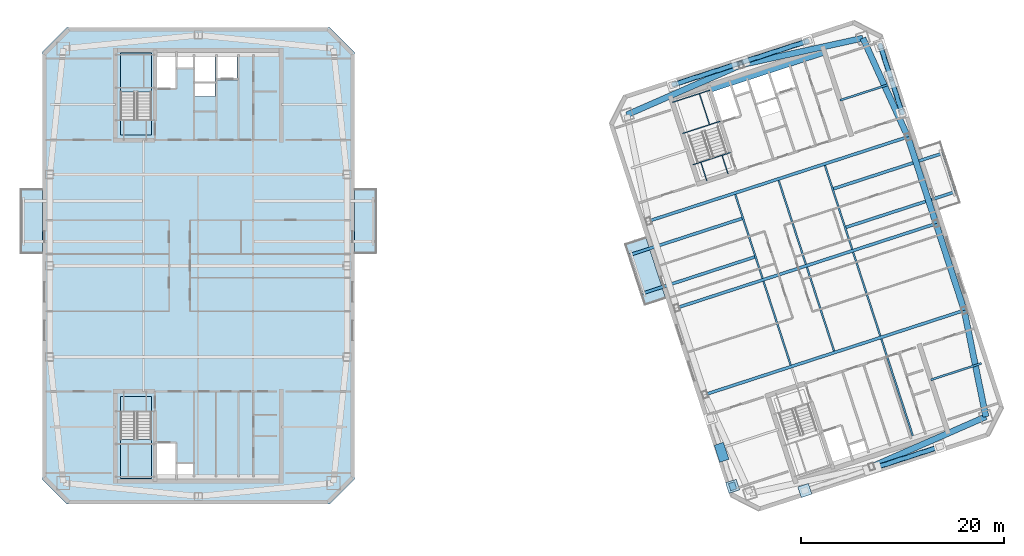
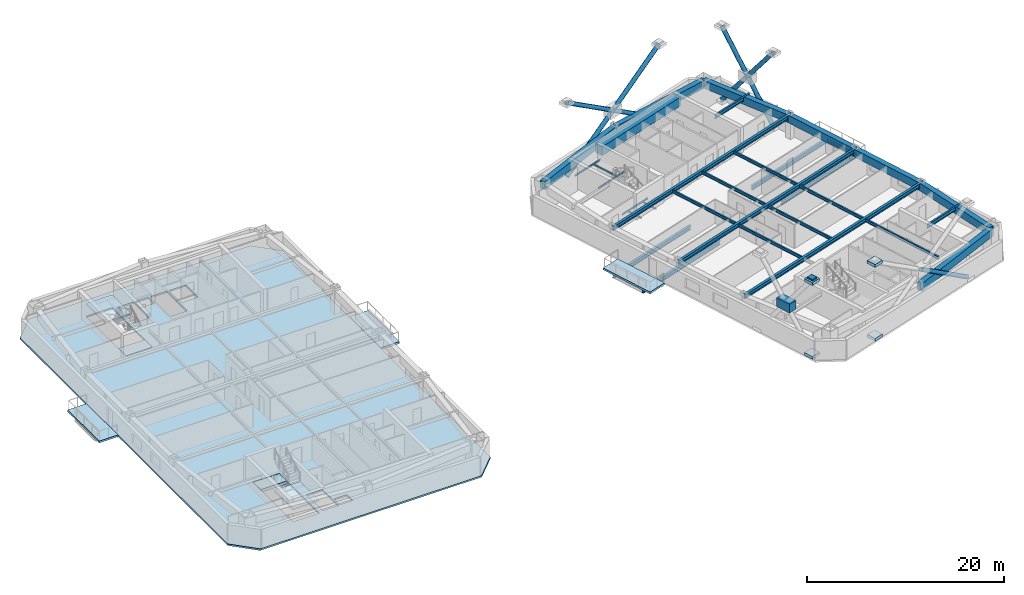
# One storey, part 4 of 16: 31 beams, 9 members, 8 slabs, 6 plates, 2 elements without a shape of their own.
"""IFC4 building model written with IfcOpenShell, lengths in metres."""

from ifc_helpers import new_model, si_unit, direction, frame, origin, origin_2d, place, context, subcontext, project, spatial, polyline, rectangle, hollow_circle, i_section, outline, extrude, material, layer, layer_set, material_profile, profile_set, type_object, element, aggregate, save


model = new_model("IFC4")

# Units and contexts
model_context = context("Model", 3, precision=1e-05, world=origin(), true_north=direction((0.0, 1.0)))
body_context = subcontext(model_context, "Body", "Model", "MODEL_VIEW")
ifc_project = project(units=[si_unit("LENGTHUNIT", "METRE"), si_unit("AREAUNIT", "SQUARE_METRE"), si_unit("VOLUMEUNIT", "CUBIC_METRE"), si_unit("PLANEANGLEUNIT", "RADIAN"), si_unit("MASSUNIT", "GRAM", prefix="KILO")], contexts=[model_context])

# Site, building, storey
site_placement = place(None, origin())
site = spatial("IfcSite", under=ifc_project, at=site_placement, CompositionType="ELEMENT")
building_placement = place(site_placement, origin())
building = spatial("IfcBuilding", under=site, at=building_placement, Name="Qiaolan Cultural Towers", CompositionType="ELEMENT")
storey_placement = place(building_placement, frame((0.0, 0.0, 240.800048828125)))
storey = spatial("IfcBuildingStorey", under=building, at=storey_placement, Name="L65", CompositionType="ELEMENT", Elevation=240.800048828125)

# Beams
ifc_material_1 = material(Name="Steel Q355B", Category="steel")
ifc_material_profile_1 = material_profile(ifc_material_1, i_section(OverallWidth=0.300048828125, OverallDepth=0.488037109375, WebThickness=0.010986328125, FlangeThickness=0.01806640625, at=origin_2d()), Name="HM488x300x11x18")
ifc_profile_set_1 = profile_set([ifc_material_profile_1], Name="Steel Q355B")
beam_type_1 = type_object("IfcBeamType", Name="BM-HM488x300x11x18", PredefinedType="BEAM", material=ifc_profile_set_1)
beam_1_placement = place(storey_placement, frame((84.978515625, 34.891845703125, -0.524169921875), z_axis=(-0.951057886204, -0.309012778197, 0.0), x_axis=(0.309012778197, -0.951057886204, 0.0)))
element("IfcBeam", 1, at=beam_1_placement, inside=storey, type_object=beam_type_1, Name="L65 T2 Tree Balcony Back-Spanned Bracket Beam", PredefinedType="BEAM", context=body_context, shape_type="SweptSolid", body=[
    extrude(i_section(OverallWidth=0.300048828125, OverallDepth=0.488037109375, WebThickness=0.010986328125, FlangeThickness=0.01806640625, at=origin_2d()), origin(), (0.0, 0.0, 1.0), 11.749755859375),
])
beam_2_placement = place(storey_placement, frame((83.742431640625, 38.6962890625, -0.524169921875), z_axis=(-0.951051779584, -0.309031572091, 0.0), x_axis=(0.309031572091, -0.951051779584, 0.0)))
element("IfcBeam", 2, at=beam_2_placement, inside=storey, type_object=beam_type_1, Name="L65 T2 Tree Balcony Back-Spanned Bracket Beam", PredefinedType="BEAM", context=body_context, shape_type="SweptSolid", body=[
    extrude(i_section(OverallWidth=0.300048828125, OverallDepth=0.488037109375, WebThickness=0.010986328125, FlangeThickness=0.01806640625, at=origin_2d()), origin(), (0.0, 0.0, 1.0), 11.75),
])
beam_3_placement = place(storey_placement, frame((93.823486328125, 37.765869140625, -0.524169921875), z_axis=(0.951061016342, 0.309003144311, 0.0), x_axis=(-0.309003144311, 0.951061016342, 0.0)))
element("IfcBeam", 3, at=beam_3_placement, inside=storey, type_object=beam_type_1, Name="L65 T2 Tree Balcony Back-Spanned Bracket Beam", PredefinedType="BEAM", context=body_context, shape_type="SweptSolid", body=[
    extrude(i_section(OverallWidth=0.300048828125, OverallDepth=0.488037109375, WebThickness=0.010986328125, FlangeThickness=0.01806640625, at=origin_2d()), origin(), (0.0, 0.0, 1.0), 11.449951171875),
])
beam_4_placement = place(storey_placement, frame((92.58740234375, 41.570068359375, -0.524169921875), z_axis=(0.951054749965, 0.309022430527, 0.0), x_axis=(-0.309022430527, 0.951054749965, 0.0)))
element("IfcBeam", 4, at=beam_4_placement, inside=storey, type_object=beam_type_1, Name="L65 T2 Tree Balcony Back-Spanned Bracket Beam", PredefinedType="BEAM", context=body_context, shape_type="SweptSolid", body=[
    extrude(i_section(OverallWidth=0.300048828125, OverallDepth=0.488037109375, WebThickness=0.010986328125, FlangeThickness=0.01806640625, at=origin_2d()), origin(), (0.0, 0.0, 1.0), 11.4501953125),
])
beam_5_placement = place(storey_placement, frame((79.989501953125, 21.2841796875, 2.696044921875), z_axis=(0.951056543098, 0.309016911884, 0.0), x_axis=(-0.309016911884, 0.951056543098, 0.0)))
element("IfcBeam", 5, at=beam_5_placement, inside=storey, type_object=beam_type_1, Name="L65 T2 Primary Transverse Girder V1", PredefinedType="BEAM", context=body_context, shape_type="SweptSolid", body=[
    extrude(i_section(OverallWidth=0.300048828125, OverallDepth=0.488037109375, WebThickness=0.010986328125, FlangeThickness=0.01806640625, at=origin_2d()), origin(), (0.0, 0.0, 1.0), 26.89990234375),
])
beam_6_placement = place(storey_placement, frame((77.208251953125, 29.84375, 2.696044921875), z_axis=(0.95105740976, 0.309014244561, 0.0), x_axis=(-0.309014244561, 0.95105740976, 0.0)))
element("IfcBeam", 6, at=beam_6_placement, inside=storey, type_object=beam_type_1, Name="L65 T2 Primary Transverse Girder V2", PredefinedType="BEAM", context=body_context, shape_type="SweptSolid", body=[
    extrude(i_section(OverallWidth=0.300048828125, OverallDepth=0.488037109375, WebThickness=0.010986328125, FlangeThickness=0.01806640625, at=origin_2d()), origin(), (0.0, 0.0, 1.0), 26.900146484375),
])
beam_7_placement = place(storey_placement, frame((74.42724609375, 38.4033203125, 2.696044921875), z_axis=(0.951056543098, 0.309016911884, 0.0), x_axis=(-0.309016911884, 0.951056543098, 0.0)))
element("IfcBeam", 7, at=beam_7_placement, inside=storey, type_object=beam_type_1, Name="L65 T2 Primary Transverse Girder V3", PredefinedType="BEAM", context=body_context, shape_type="SweptSolid", body=[
    extrude(i_section(OverallWidth=0.300048828125, OverallDepth=0.488037109375, WebThickness=0.010986328125, FlangeThickness=0.01806640625, at=origin_2d()), origin(), (0.0, 0.0, 1.0), 26.89990234375),
])
ifc_material_2 = material(Name="Steel Q355B", Category="steel")
ifc_material_profile_2 = material_profile(ifc_material_2, i_section(OverallWidth=0.175048828125, OverallDepth=0.35009765625, WebThickness=0.007080078125, FlangeThickness=0.010986328125, at=origin_2d()), Name="HN350x175x7x11")
ifc_profile_set_2 = profile_set([ifc_material_profile_2], Name="Steel Q355B")
beam_type_2 = type_object("IfcBeamType", Name="BM-JST-HN350x175x7x11", PredefinedType="JOIST", material=ifc_profile_set_2)
beam_8_placement = place(storey_placement, frame((104.713134765625, 41.303955078125, -0.524169921875), z_axis=(-0.3090046493, 0.951060527364, 0.0), x_axis=(-0.951060527364, -0.3090046493, 0.0)))
element("IfcBeam", 8, at=beam_8_placement, inside=storey, type_object=beam_type_2, Name="L65 T2 Tree Balcony Outer Edge Beam", PredefinedType="JOIST", context=body_context, shape_type="SweptSolid", body=[
    extrude(i_section(OverallWidth=0.175048828125, OverallDepth=0.35009765625, WebThickness=0.007080078125, FlangeThickness=0.010986328125, at=origin_2d()), origin(), (0.0, 0.0, 1.0), 4.000244140625),
])
for number, where, z_axis, x_axis, name in (
    (9, (88.455078125, 24.192626953125, 2.764892578125), (-0.309020714809, 0.951055307445, 0.0), (-0.951055307445, -0.309020714809, 0.0), "L65 T2 Secondary Floor Joist U1-2"),
    (10, (85.673828125, 32.752197265625, 2.764892578125), (-0.309020714809, 0.951055307445, 0.0), (-0.951055307445, -0.309020714809, 0.0), "L65 T2 Secondary Floor Joist U1-3"),
    (11, (92.73486328125, 25.583251953125, 2.764892578125), (-0.309020714809, 0.951055307445, 0.0), (-0.951055307445, -0.309020714809, 0.0), "L65 T2 Secondary Floor Joist U2-2"),
    (12, (89.95361328125, 34.142578125, 2.764892578125), (-0.309020714809, 0.951055307445, 0.0), (-0.951055307445, -0.309020714809, 0.0), "L65 T2 Secondary Floor Joist U2-3"),
):
    element("IfcBeam", number, at=place(storey_placement, frame(where, z_axis=z_axis, x_axis=x_axis)), inside=storey, type_object=beam_type_2, Name=name, PredefinedType="JOIST", context=body_context, shape_type="SweptSolid", body=[
        extrude(i_section(OverallWidth=0.175048828125, OverallDepth=0.35009765625, WebThickness=0.007080078125, FlangeThickness=0.010986328125, at=origin_2d()), origin(), (0.0, 0.0, 1.0), 8.699951171875),
    ])
beam_9_placement = place(storey_placement, frame((100.498291015625, 17.222900390625, 2.764892578125), z_axis=(-0.309025649293, 0.951053704098, 0.0), x_axis=(-0.951053704098, -0.309025649293, 0.0)))
element("IfcBeam", 13, at=beam_9_placement, inside=storey, type_object=beam_type_2, Name="L65 T2 Secondary Floor Joist U3-1", PredefinedType="JOIST", context=body_context, shape_type="SweptSolid", body=[
    extrude(i_section(OverallWidth=0.175048828125, OverallDepth=0.35009765625, WebThickness=0.007080078125, FlangeThickness=0.010986328125, at=origin_2d()), origin(), (0.0, 0.0, 1.0), 10.050048828125),
])
for number, where, z_axis, x_axis, name in (
    (14, (97.2998046875, 27.06640625, 2.764892578125), (-0.309020714809, 0.951055307445, 0.0), (-0.951055307445, -0.309020714809, 0.0), "L65 T2 Secondary Floor Joist U3-2"),
    (15, (94.518798828125, 35.6259765625, 2.764892578125), (-0.309020714809, 0.951055307445, 0.0), (-0.951055307445, -0.309020714809, 0.0), "L65 T2 Secondary Floor Joist U3-3"),
):
    element("IfcBeam", number, at=place(storey_placement, frame(where, z_axis=z_axis, x_axis=x_axis)), inside=storey, type_object=beam_type_2, Name=name, PredefinedType="JOIST", context=body_context, shape_type="SweptSolid", body=[
        extrude(i_section(OverallWidth=0.175048828125, OverallDepth=0.35009765625, WebThickness=0.007080078125, FlangeThickness=0.010986328125, at=origin_2d()), origin(), (0.0, 0.0, 1.0), 8.699951171875),
    ])
ifc_material_3 = material(Name="Steel Q355B", Category="steel")
ifc_material_profile_3 = material_profile(ifc_material_3, i_section(OverallWidth=0.199951171875, OverallDepth=0.449951171875, WebThickness=0.009033203125, FlangeThickness=0.013916015625, at=origin_2d()), Name="HN450x200x9x14")
ifc_profile_set_3 = profile_set([ifc_material_profile_3], Name="Steel Q355B")
beam_type_3 = type_object("IfcBeamType", Name="BM-LNT-HN450x200x9x14", PredefinedType="LINTEL", material=ifc_profile_set_3)
for number, where, z_axis, x_axis, name in (
    (16, (102.279296875, 22.74365234375, 2.71484375), (0.951060037126, 0.309006158161, 0.0), (-0.309006158161, 0.951060037126, 0.0), "L65 T2 Core Flank Tie Lintel ES"),
    (17, (93.31787109375, 50.32421875, 2.71484375), (0.951060037126, 0.309006158161, 0.0), (-0.309006158161, 0.951060037126, 0.0), "L65 T2 Core Flank Tie Lintel EN"),
):
    element("IfcBeam", number, at=place(storey_placement, frame(where, z_axis=z_axis, x_axis=x_axis)), inside=storey, type_object=beam_type_3, Name=name, PredefinedType="LINTEL", context=body_context, shape_type="SweptSolid", body=[
        extrude(i_section(OverallWidth=0.199951171875, OverallDepth=0.449951171875, WebThickness=0.009033203125, FlangeThickness=0.013916015625, at=origin_2d()), origin(), (0.0, 0.0, 1.0), 5.25),
    ])
ifc_material_4 = material(Name="Concrete C50", Category="concrete")
ifc_material_profile_4 = material_profile(ifc_material_4, rectangle(XDim=0.89990234375, YDim=1.10009765625, at=origin_2d()), Name="RC900x1100")
ifc_profile_set_4 = profile_set([ifc_material_profile_4], Name="Concrete C50")
beam_type_4 = type_object("IfcBeamType", Name="BM-RC900x1100", PredefinedType="BEAM", material=ifc_profile_set_4)
beam_10_placement = place(storey_placement, frame((80.427978515625, 51.551025390625, 2.389892578125), z_axis=(0.951056266386, 0.309017763514, 0.0), x_axis=(-0.309017763514, 0.951056266386, 0.0)))
element("IfcBeam", 18, at=beam_10_placement, inside=storey, type_object=beam_type_4, Name="L65 T2 Core Header Girder N", PredefinedType="BEAM", context=body_context, shape_type="SweptSolid", body=[
    extrude(rectangle(XDim=0.89990234375, YDim=1.10009765625, at=origin_2d()), origin(), (0.0, 0.0, 1.0), 11.880126953125),
])
ifc_material_5 = material(Name="Concrete C50", Category="concrete")
ifc_material_profile_5 = material_profile(ifc_material_5, rectangle(XDim=0.60009765625, YDim=0.949951171875, at=origin_2d()), Name="RC600x950")
ifc_profile_set_5 = profile_set([ifc_material_profile_5], Name="Concrete C50")
beam_type_5 = type_object("IfcBeamType", Name="BM-SPD-RC600x950", PredefinedType="SPANDREL", material=ifc_profile_set_5)
beam_11_placement = place(storey_placement, frame((96.443115234375, 14.17041015625, 2.46484375), z_axis=(0.916042038824, 0.401082264762, 0.0), x_axis=(-0.401082264762, 0.916042038824, 0.0)))
element("IfcBeam", 19, at=beam_11_placement, inside=storey, type_object=beam_type_5, Name="L65 T2 Perimeter Spandrel Beam 2", PredefinedType="SPANDREL", context=body_context, shape_type="SweptSolid", body=[
    extrude(rectangle(XDim=0.60009765625, YDim=0.949951171875, at=origin_2d()), origin(), (0.0, 0.0, 1.0), 12.299560546875),
])
beam_12_placement = place(storey_placement, frame((107.7099609375, 19.103515625, 2.46484375), z_axis=(-0.199578538116, 0.979881833245, 0.0), x_axis=(-0.979881833245, -0.199578538116, 0.0)))
element("IfcBeam", 20, at=beam_12_placement, inside=storey, type_object=beam_type_5, Name="L65 T2 Perimeter Spandrel Beam 3", PredefinedType="SPANDREL", context=body_context, shape_type="SweptSolid", body=[
    extrude(rectangle(XDim=0.60009765625, YDim=0.949951171875, at=origin_2d()), origin(), (0.0, 0.0, 1.0), 10.70849609375),
])
for number, where, z_axis, x_axis, name in (
    (21, (105.57275390625, 29.5966796875, 2.46484375), (-0.309000197986, 0.951061973609, 0.0), (-0.951061973609, -0.309000197986, 0.0), "L65 T2 Perimeter Spandrel Beam 4"),
    (22, (102.791748046875, 38.15625, 2.46484375), (-0.309024734286, 0.951054001411, 0.0), (-0.951054001411, -0.309024734286, 0.0), "L65 T2 Perimeter Spandrel Beam 5"),
):
    element("IfcBeam", number, at=place(storey_placement, frame(where, z_axis=z_axis, x_axis=x_axis)), inside=storey, type_object=beam_type_5, Name=name, PredefinedType="SPANDREL", context=body_context, shape_type="SweptSolid", body=[
        extrude(rectangle(XDim=0.60009765625, YDim=0.949951171875, at=origin_2d()), origin(), (0.0, 0.0, 1.0), 9.0),
    ])
beam_13_placement = place(storey_placement, frame((100.010498046875, 46.7158203125, 2.46484375), z_axis=(-0.414500208282, 0.910049216985, 0.0), x_axis=(-0.910049216985, -0.414500208282, 0.0)))
element("IfcBeam", 23, at=beam_13_placement, inside=storey, type_object=beam_type_5, Name="L65 T2 Perimeter Spandrel Beam 6", PredefinedType="SPANDREL", context=body_context, shape_type="SweptSolid", body=[
    extrude(rectangle(XDim=0.60009765625, YDim=0.949951171875, at=origin_2d()), origin(), (0.0, 0.0, 1.0), 10.70849609375),
])
beam_14_placement = place(storey_placement, frame((95.57177734375, 56.461181640625, 2.46484375), z_axis=(-0.976843395078, -0.213955559619, 0.0), x_axis=(0.213955559619, -0.976843395078, 0.0)))
element("IfcBeam", 24, at=beam_14_placement, inside=storey, type_object=beam_type_5, Name="L65 T2 Perimeter Spandrel Beam 7", PredefinedType="SPANDREL", context=body_context, shape_type="SweptSolid", body=[
    extrude(rectangle(XDim=0.60009765625, YDim=0.949951171875, at=origin_2d()), origin(), (0.0, 0.0, 1.0), 12.2998046875),
])
beam_15_placement = place(storey_placement, frame((83.556884765625, 53.82958984375, 2.46484375), z_axis=(-0.916042038824, -0.401082264762, 0.0), x_axis=(0.401082264762, -0.916042038824, 0.0)))
element("IfcBeam", 25, at=beam_15_placement, inside=storey, type_object=beam_type_5, Name="L65 T2 Perimeter Spandrel Beam 8", PredefinedType="SPANDREL", context=body_context, shape_type="SweptSolid", body=[
    extrude(rectangle(XDim=0.60009765625, YDim=0.949951171875, at=origin_2d()), origin(), (0.0, 0.0, 1.0), 12.299560546875),
])
ifc_material_6 = material(Name="Steel Q355B", Category="steel")
ifc_material_profile_6 = material_profile(ifc_material_6, i_section(OverallWidth=0.10009765625, OverallDepth=0.199951171875, WebThickness=0.005615234375, FlangeThickness=0.008056640625, at=origin_2d()), Name="HN200x100x5.5x8")
ifc_profile_set_6 = profile_set([ifc_material_profile_6], Name="Steel Q355B")
beam_type_6 = type_object("IfcBeamType", Name="BM-STTRIM-200", PredefinedType="BEAM", material=ifc_profile_set_6)
beam_16_placement = place(storey_placement, frame((78.773193359375, 43.958251953125, -0.4599609375), z_axis=(0.951072048947, 0.3089691857, 0.0), x_axis=(-0.3089691857, 0.951072048947, 0.0)))
element("IfcBeam", 26, at=beam_16_placement, inside=storey, type_object=beam_type_6, Name="L65 ST-E2 Floor Landing Header Beam", PredefinedType="BEAM", context=body_context, shape_type="SweptSolid", body=[
    extrude(i_section(OverallWidth=0.10009765625, OverallDepth=0.199951171875, WebThickness=0.005615234375, FlangeThickness=0.008056640625, at=origin_2d()), origin(), (0.0, 0.0, 1.0), 3.920166015625),
])
for number, where, z_axis, x_axis, name in (
    (27, (80.18115234375, 42.375732421875, -0.4599609375), (-0.308969394428, 0.951071981138, 0.0), (-0.951071981138, -0.308969394428, 0.0), "L65 ST-E2 Floor Landing Stringer 1"),
    (28, (82.2734375, 43.0556640625, -0.4599609375), (-0.308969394428, 0.951071981138, 0.0), (-0.951071981138, -0.308969394428, 0.0), "L65 ST-E2 Floor Landing Stringer 2"),
):
    element("IfcBeam", number, at=place(storey_placement, frame(where, z_axis=z_axis, x_axis=x_axis)), inside=storey, type_object=beam_type_6, Name=name, PredefinedType="BEAM", context=body_context, shape_type="SweptSolid", body=[
        extrude(i_section(OverallWidth=0.10009765625, OverallDepth=0.199951171875, WebThickness=0.005615234375, FlangeThickness=0.008056640625, at=origin_2d()), origin(), (0.0, 0.0, 1.0), 1.93994140625),
    ])
for number, where, z_axis, x_axis, name in (
    (29, (77.769287109375, 47.0478515625, 1.300048828125), (0.951053746643, 0.309025518358, 0.0), (-0.309025518358, 0.951053746643, 0.0), "L65 ST-E2 Stair Landing Support Beam 1-1"),
    (30, (76.770751953125, 50.12109375, 1.300048828125), (0.951072048947, 0.3089691857, 0.0), (-0.3089691857, 0.951072048947, 0.0), "L65 ST-E2 Stair Landing Support Beam 1-2"),
):
    element("IfcBeam", number, at=place(storey_placement, frame(where, z_axis=z_axis, x_axis=x_axis)), inside=storey, type_object=beam_type_6, Name=name, PredefinedType="BEAM", context=body_context, shape_type="SweptSolid", body=[
        extrude(i_section(OverallWidth=0.10009765625, OverallDepth=0.199951171875, WebThickness=0.005615234375, FlangeThickness=0.008056640625, at=origin_2d()), origin(), (0.0, 0.0, 1.0), 3.920166015625),
    ])
beam_17_placement = place(storey_placement, frame((80.44189453125, 47.916259765625, 1.300048828125), z_axis=(-0.309033108495, 0.951051280349, 0.0), x_axis=(-0.951051280349, -0.309033108495, 0.0)))
element("IfcBeam", 31, at=beam_17_placement, inside=storey, type_object=beam_type_6, Name="L65 ST-E2 Stair Landing Trimmer 1", PredefinedType="BEAM", context=body_context, shape_type="SweptSolid", body=[
    extrude(i_section(OverallWidth=0.10009765625, OverallDepth=0.199951171875, WebThickness=0.005615234375, FlangeThickness=0.008056640625, at=origin_2d()), origin(), (0.0, 0.0, 1.0), 3.231201171875),
])

# Members
ifc_material_7 = material(Name="Steel Q355B", Category="steel")
ifc_material_profile_7 = material_profile(ifc_material_7, hollow_circle(Radius=0.25, WallThickness=0.02490234375, at=origin_2d()), Name="CHS500x25")
ifc_profile_set_7 = profile_set([ifc_material_profile_7], Name="Steel Q355B")
member_type = type_object("IfcMemberType", Name="MBR-BRC-CHS500x25", PredefinedType="BRACE", material=ifc_profile_set_7)
member_1_placement = place(storey_placement, frame((99.459228515625, 49.06005859375, 0.14990234375), z_axis=(-0.18861667525, 0.580476061079, 0.792130855561), x_axis=(-0.951052389726, -0.30902969436, 0.0)))
element("IfcMember", 32, at=member_1_placement, inside=storey, type_object=member_type, Name="T2 EAST Perimeter Frame Diagonal E-Z4-M4-D1A", PredefinedType="BRACE", context=body_context, shape_type="SweptSolid", body=[
    extrude(hollow_circle(Radius=0.25, WallThickness=0.02490234375, at=origin_2d()), origin(), (0.0, 0.0, 1.0), 5.775390625),
])
member_2_placement = place(storey_placement, frame((98.369873046875, 52.41259765625, 4.724853515625), z_axis=(-0.188610359611, 0.580456624424, 0.792146602221), x_axis=(-0.951052389726, -0.30902969436, 0.0)))
element("IfcMember", 33, at=member_2_placement, inside=storey, type_object=member_type, Name="T2 EAST Perimeter Frame Diagonal E-Z4-M4-D1B", PredefinedType="BRACE", context=body_context, shape_type="SweptSolid", body=[
    extrude(hollow_circle(Radius=0.25, WallThickness=0.02490234375, at=origin_2d()), origin(), (0.0, 0.0, 1.0), 5.775634765625),
])
member_3_placement = place(storey_placement, frame((97.280517578125, 55.76513671875, 0.14990234375), z_axis=(0.18861667525, -0.580476061079, 0.792130855561), x_axis=(0.951052389726, 0.30902969436, 0.0)))
element("IfcMember", 34, at=member_3_placement, inside=storey, type_object=member_type, Name="T2 EAST Perimeter Frame Diagonal E-Z4-M4-D2A", PredefinedType="BRACE", context=body_context, shape_type="SweptSolid", body=[
    extrude(hollow_circle(Radius=0.25, WallThickness=0.02490234375, at=origin_2d()), origin(), (0.0, 0.0, 1.0), 5.775390625),
])
member_4_placement = place(storey_placement, frame((98.369873046875, 52.41259765625, 4.724853515625), z_axis=(0.188610359611, -0.580456624424, 0.792146602221), x_axis=(0.951052389726, 0.30902969436, 0.0)))
element("IfcMember", 35, at=member_4_placement, inside=storey, type_object=member_type, Name="T2 EAST Perimeter Frame Diagonal E-Z4-M4-D2B", PredefinedType="BRACE", context=body_context, shape_type="SweptSolid", body=[
    extrude(hollow_circle(Radius=0.25, WallThickness=0.02490234375, at=origin_2d()), origin(), (0.0, 0.0, 1.0), 5.775634765625),
])
for number, where, z_axis, x_axis, name in (
    (36, (103.162109375, 16.143310546875, 0.14990234375), (-0.79610151965, -0.258671683442, 0.547093530025), (0.309019824916, -0.951055596592, 0.0), "T2 SOUTH Perimeter Frame Diagonal E-Z4-M4-D2A"),
    (37, (76.837890625, 51.856689453125, 0.14990234375), (0.79610151965, 0.258671683442, 0.547093530025), (-0.309019824916, 0.951055596592, 0.0), "T2 NORTH Perimeter Frame Diagonal E-Z4-M4-D1A"),
):
    element("IfcMember", number, at=place(storey_placement, frame(where, z_axis=z_axis, x_axis=x_axis)), inside=storey, type_object=member_type, Name=name, PredefinedType="BRACE", context=body_context, shape_type="SweptSolid", body=[
        extrude(hollow_circle(Radius=0.25, WallThickness=0.02490234375, at=origin_2d()), origin(), (0.0, 0.0, 1.0), 8.3623046875),
    ])
for number, where, z_axis, x_axis, name in (
    (38, (83.4951171875, 54.019775390625, 4.724853515625), (0.796099495846, 0.258661539961, 0.547101270753), (-0.309009574742, 0.951058927048, 0.0), "T2 NORTH Perimeter Frame Diagonal E-Z4-M4-D1B"),
    (39, (90.152587890625, 56.182861328125, 0.14990234375), (-0.796112211304, -0.258665671354, 0.547080814391), (0.309009574742, -0.951058927048, 0.0), "T2 NORTH Perimeter Frame Diagonal E-Z4-M4-D2A"),
):
    element("IfcMember", number, at=place(storey_placement, frame(where, z_axis=z_axis, x_axis=x_axis)), inside=storey, type_object=member_type, Name=name, PredefinedType="BRACE", context=body_context, shape_type="SweptSolid", body=[
        extrude(hollow_circle(Radius=0.25, WallThickness=0.02490234375, at=origin_2d()), origin(), (0.0, 0.0, 1.0), 8.362548828125),
    ])
member_5_placement = place(storey_placement, frame((83.4951171875, 54.019775390625, 4.724853515625), z_axis=(-0.796088803772, -0.258667551761, 0.547113986456), x_axis=(0.309019824916, -0.951055596592, 0.0)))
element("IfcMember", 40, at=member_5_placement, inside=storey, type_object=member_type, Name="T2 NORTH Perimeter Frame Diagonal E-Z4-M4-D2B", PredefinedType="BRACE", context=body_context, shape_type="SweptSolid", body=[
    extrude(hollow_circle(Radius=0.25, WallThickness=0.02490234375, at=origin_2d()), origin(), (0.0, 0.0, 1.0), 8.3623046875),
])

# Plates
ifc_material_8 = material(Name="Steel Q355B", Category="steel")
ifc_layer_1 = layer(ifc_material_8, 0.035888671875)
ifc_layer_set_1 = layer_set([ifc_layer_1], Name="Steel Q355B")
plate_type_1 = type_object("IfcPlateType", Name="PL-CONN-36", PredefinedType="USERDEFINED", material=ifc_layer_set_1)
plate_1_placement = place(storey_placement, frame((82.719482421875, 12.23486328125, 8.93017578125), z_axis=(0.0, 0.0, 1.0), x_axis=(-0.309016994375, 0.951056516295, 0.0)))
element("IfcPlate", 41, at=plate_1_placement, inside=storey, type_object=plate_type_1, Name="L65 Brace End Connection Gusset Plate GP-02-0597", ObjectType="GUSSET_PLATE", PredefinedType="USERDEFINED", context=body_context, shape_type="SweptSolid", body=[
    extrude(rectangle(XDim=0.739990234375, YDim=0.6201171875, at=origin_2d()), origin(), (0.0, 0.0, 1.0), 0.739990234375),
])
ifc_material_9 = material(Name="Steel Q355B", Category="steel")
ifc_layer_2 = layer(ifc_material_9, 0.030029296875)
ifc_layer_set_2 = layer_set([ifc_layer_2], Name="Steel Q355B")
plate_type_2 = type_object("IfcPlateType", Name="PL-ENDCAP-30", PredefinedType="USERDEFINED", material=ifc_layer_set_2)
for number, where, z_axis, x_axis, name in (
    (42, (82.719482421875, 12.23486328125, -0.025146484375), (0.0, 0.0, 1.0), (-0.309016994375, 0.951056516295, 0.0), "Hollow Brace End Seal Cap Plate CP-01"),
    (43, (82.719482421875, 12.23486328125, 9.125), (0.0, 0.0, 1.0), (-0.309016994375, 0.951056516295, 0.0), "Hollow Brace End Seal Cap Plate CP-01"),
    (44, (89.847412109375, 11.817138671875, -0.025146484375), (0.0, 0.0, 1.0), (0.951056516295, 0.309016994375, 0.0), "Hollow Brace End Seal Cap Plate CP-01"),
    (45, (89.847412109375, 11.817138671875, 9.125), (0.0, 0.0, 1.0), (0.951056516295, 0.309016994375, 0.0), "Hollow Brace End Seal Cap Plate CP-01"),
):
    element("IfcPlate", number, at=place(storey_placement, frame(where, z_axis=z_axis, x_axis=x_axis)), inside=storey, type_object=plate_type_2, Name=name, ObjectType="BASE_PLATE", PredefinedType="USERDEFINED", context=body_context, shape_type="SweptSolid", body=[
        extrude(rectangle(XDim=1.10009765625, YDim=1.10009765625, at=origin_2d()), origin(), (0.0, 0.0, 1.0), 0.35009765625),
    ])
ifc_material_10 = material(Name="Steel Q390GJB", Category="steel")
ifc_layer_3 = layer(ifc_material_10, 0.0439453125)
ifc_layer_set_3 = layer_set([ifc_layer_3], Name="Steel Q390GJB")
plate_type_3 = type_object("IfcPlateType", Name="PL-NODE-ND06", PredefinedType="USERDEFINED", material=ifc_layer_set_3)
plate_2_placement = place(storey_placement, frame((81.630126953125, 15.58740234375, 4.1748046875), z_axis=(0.0, 0.0, 1.0), x_axis=(-0.309016994375, 0.951056516295, 0.0)))
element("IfcPlate", 46, at=plate_2_placement, inside=storey, type_object=plate_type_3, Name="Perimeter Frame Gusset Node Assembly ND-06", ObjectType="GUSSET_PLATE", PredefinedType="USERDEFINED", context=body_context, shape_type="SweptSolid", body=[
    extrude(rectangle(XDim=1.760009765625, YDim=0.9599609375, at=origin_2d()), origin(), (0.0, 0.0, 1.0), 1.10009765625),
])

# Slabs
ifc_material_11 = material(Name="Concrete C45", Category="concrete")
ifc_layer_4 = layer(ifc_material_11, 0.239990234375)
ifc_layer_set_4 = layer_set([ifc_layer_4], Name="Concrete C45")
slab_type_1 = type_object("IfcSlabType", Name="SL-BAL-240", PredefinedType="FLOOR", material=ifc_layer_set_4)
slab_1_placement = place(storey_placement, frame((0.0, 0.0, -0.239990234375)))
element("IfcSlab", 47, at=slab_1_placement, inside=storey, type_object=slab_type_1, Name="L65 T1 Planted Tree Balcony W", PredefinedType="FLOOR", context=body_context, shape_type="SweptSolid", body=[
    extrude(outline(polyline([(12.39990234375, 35.199951171875), (14.60009765625, 35.199951171875), (14.60009765625, 41.60009765625), (12.39990234375, 41.60009765625), (12.39990234375, 35.199951171875)])), origin(), (0.0, 0.0, 1.0), 0.239990234375),
])
slab_2_placement = place(storey_placement, frame((0.0, 0.0, -0.239990234375)))
element("IfcSlab", 48, at=slab_2_placement, inside=storey, type_object=slab_type_1, Name="L65 T1 Planted Tree Balcony E", PredefinedType="FLOOR", context=body_context, shape_type="SweptSolid", body=[
    extrude(outline(polyline([(45.39990234375, 35.199951171875), (47.60009765625, 35.199951171875), (47.60009765625, 41.60009765625), (45.39990234375, 41.60009765625), (45.39990234375, 35.199951171875)])), origin(), (0.0, 0.0, 1.0), 0.239990234375),
])
slab_3_placement = place(storey_placement, frame((0.0, 0.0, -0.239990234375)))
element("IfcSlab", 49, at=slab_3_placement, inside=storey, type_object=slab_type_1, Name="L65 T2 Planted Tree Balcony W", PredefinedType="FLOOR", context=body_context, shape_type="SweptSolid", body=[
    extrude(outline(polyline([(74.03173828125, 30.073486328125), (76.124267578125, 30.753173828125), (74.146484375, 36.840087890625), (72.05419921875, 36.16015625), (74.03173828125, 30.073486328125)])), origin(), (0.0, 0.0, 1.0), 0.239990234375),
])
ifc_material_12 = material(Name="Concrete C45", Category="concrete")
ifc_layer_5 = layer(ifc_material_12, 0.199951171875)
ifc_layer_set_5 = layer_set([ifc_layer_5], Name="Concrete C45")
slab_type_2 = type_object("IfcSlabType", Name="SL-HI-200", PredefinedType="FLOOR", material=ifc_layer_set_5)
slab_4_placement = place(storey_placement, frame((0.0, 0.0, -0.199951171875)))
element("IfcSlab", 50, at=slab_4_placement, inside=storey, type_object=slab_type_2, Name="L65 West Tower Floor Slab", PredefinedType="FLOOR", context=body_context, shape_type="SweptSolid", body=[
    extrude(outline(polyline([(17.0, 10.5), (43.0, 10.5), (45.39990234375, 12.89990234375), (45.39990234375, 55.10009765625), (43.0, 57.5), (17.0, 57.5), (14.60009765625, 55.10009765625), (14.60009765625, 12.89990234375), (17.0, 10.5)]), holes=[polyline([(22.300048828125, 21.10009765625), (22.300048828125, 13.0), (25.3798828125, 13.0), (25.3798828125, 21.10009765625), (22.300048828125, 21.10009765625)]), polyline([(25.3798828125, 46.89990234375), (25.3798828125, 55.0), (22.300048828125, 55.0), (22.300048828125, 46.89990234375), (25.3798828125, 46.89990234375)]), polyline([(25.89990234375, 13.199951171875), (27.75, 13.199951171875), (27.75, 16.449951171875), (25.89990234375, 16.449951171875), (25.89990234375, 13.199951171875)]), polyline([(27.93994140625, 13.25), (29.449951171875, 13.25), (29.449951171875, 14.419921875), (27.93994140625, 14.419921875), (27.93994140625, 13.25)]), polyline([(25.89990234375, 51.550048828125), (27.75, 51.550048828125), (27.75, 54.800048828125), (25.89990234375, 54.800048828125), (25.89990234375, 51.550048828125)]), polyline([(27.93994140625, 53.580078125), (29.449951171875, 53.580078125), (29.449951171875, 54.75), (27.93994140625, 54.75), (27.93994140625, 53.580078125)]), polyline([(31.8798828125, 52.27001953125), (33.820068359375, 52.27001953125), (33.820068359375, 54.75), (31.8798828125, 54.75), (31.8798828125, 52.27001953125)]), polyline([(29.679931640625, 50.719970703125), (31.659912109375, 50.719970703125), (31.659912109375, 54.75), (29.679931640625, 54.75), (29.679931640625, 50.719970703125)])]), origin(), (0.0, 0.0, 1.0), 0.199951171875),
])

# Stair, slab
ifc_material_13 = material(Name="Concrete C45", Category="concrete")
stair_type = type_object("IfcStairType", Name="STR-CORE-1500", PredefinedType="HALF_TURN_STAIR", material=ifc_material_13)
stair_1_placement = place(storey_placement, origin())
stair_1 = element("IfcStair", 51, at=stair_1_placement, inside=storey, type_object=stair_type, Name="L65 Smokeproof Exit Stair ST-W1", PredefinedType="HALF_TURN_STAIR")
ifc_material_14 = material(Name="Concrete C45", Category="concrete")
ifc_layer_6 = layer(ifc_material_14, 0.199951171875)
ifc_layer_set_6 = layer_set([ifc_layer_6], Name="Concrete C45")
slab_type_3 = type_object("IfcSlabType", Name="SL-STAIR-LAND", PredefinedType="LANDING", material=ifc_layer_set_6)
slab_5_placement = place(storey_placement, frame((0.0, 0.0, 1.39990234375)))
slab_5 = element("IfcSlab", 52, at=slab_5_placement, type_object=slab_type_3, Name="ST-W1 landing 1", PredefinedType="LANDING", context=body_context, shape_type="SweptSolid", body=[
    extrude(outline(polyline([(22.300048828125, 16.851318359375), (22.300048828125, 13.0), (25.3798828125, 13.0), (25.3798828125, 16.851318359375), (22.300048828125, 16.851318359375)])), origin(), (0.0, 0.0, 1.0), 0.199951171875),
])
aggregate(stair_1, [slab_5])

stair_2_placement = place(storey_placement, origin())
stair_2 = element("IfcStair", 53, at=stair_2_placement, inside=storey, type_object=stair_type, Name="L65 Smokeproof Exit Stair ST-W2", PredefinedType="HALF_TURN_STAIR")
slab_6_placement = place(storey_placement, frame((0.0, 0.0, 1.39990234375)))
slab_6 = element("IfcSlab", 54, at=slab_6_placement, type_object=slab_type_3, Name="ST-W2 landing 1", PredefinedType="LANDING", context=body_context, shape_type="SweptSolid", body=[
    extrude(outline(polyline([(25.3798828125, 51.148681640625), (25.3798828125, 55.0), (22.300048828125, 55.0), (22.300048828125, 51.148681640625), (25.3798828125, 51.148681640625)])), origin(), (0.0, 0.0, 1.0), 0.199951171875),
])
aggregate(stair_2, [slab_6])

# Slabs
ifc_material_15 = material(Name="Concrete C40", Category="concrete")
ifc_layer_7 = layer(ifc_material_15, 0.360107421875)
ifc_layer_set_7 = layer_set([ifc_layer_7], Name="Concrete C40")
slab_type_4 = type_object("IfcSlabType", Name="SL-STFLR-360", PredefinedType="LANDING", material=ifc_layer_set_7)
slab_7_placement = place(storey_placement, frame((0.0, 0.0, -0.360107421875)))
element("IfcSlab", 55, at=slab_7_placement, inside=storey, type_object=slab_type_4, Name="L65 ST-W1 Stair Floor Landing Slab", PredefinedType="LANDING", context=body_context, shape_type="SweptSolid", body=[
    extrude(outline(polyline([(22.302001953125, 21.097900390625), (22.302001953125, 19.548583984375), (25.3779296875, 19.548583984375), (25.3779296875, 21.097900390625), (22.302001953125, 21.097900390625)])), origin(), (0.0, 0.0, 1.0), 0.360107421875),
])
slab_8_placement = place(storey_placement, frame((0.0, 0.0, -0.360107421875)))
element("IfcSlab", 56, at=slab_8_placement, inside=storey, type_object=slab_type_4, Name="L65 ST-W2 Stair Floor Landing Slab", PredefinedType="LANDING", context=body_context, shape_type="SweptSolid", body=[
    extrude(outline(polyline([(25.3779296875, 46.902099609375), (25.3779296875, 48.451416015625), (22.302001953125, 48.451416015625), (22.302001953125, 46.902099609375), (25.3779296875, 46.902099609375)])), origin(), (0.0, 0.0, 1.0), 0.360107421875),
])

save(model, "model.ifc")
